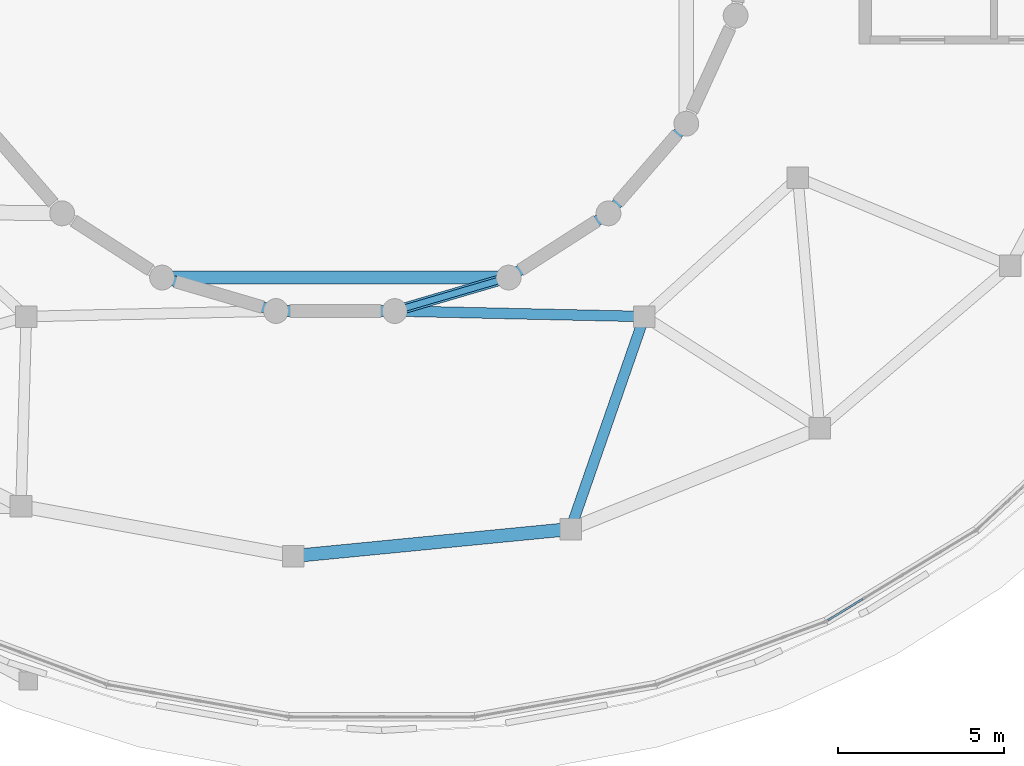
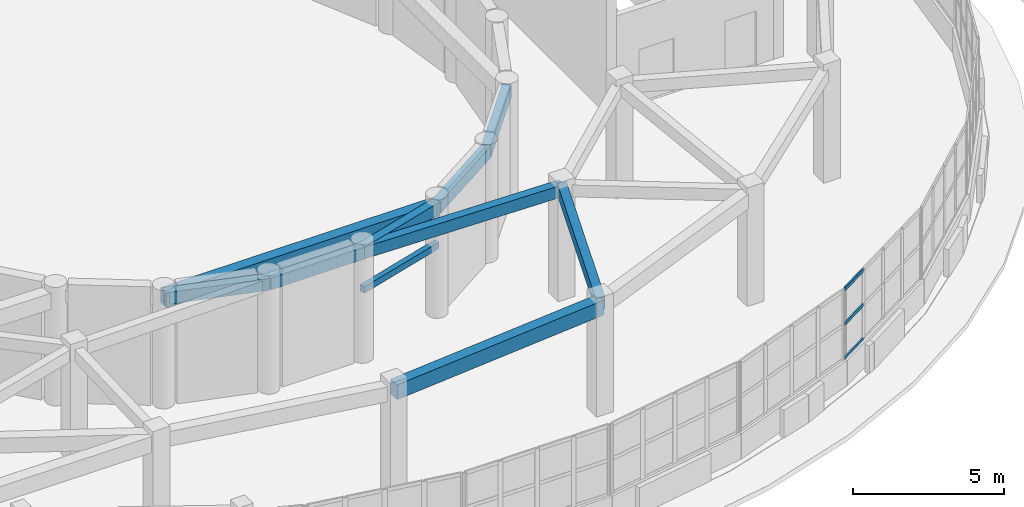
# One storey, part 50 of 105: 10 beams, 3 members, 1 element without a shape of its own.
"""IFC4 building model written with IfcOpenShell, lengths in metres."""

import ifcopenshell
import ifcopenshell.guid

model = None  # the IFC model being written
_history = None  # IfcOwnerHistory: only IFC2X3 demands one
_inside = {}  # id of a spatial element -> (the spatial element, [elements in it])
_under = {}  # id of a project, library or spatial element -> (it, [spatial elements below it])
_declared = {}  # id of a project -> (the project, [libraries it declares])
_typed = {}  # id of a type object -> (the type object, [elements of that type])
_made_of = {}  # id of a material, layer set ... -> (it, [elements and type objects made of it])


def new_model(schema):
    """Start an empty IFC model of exactly this schema.

    Asked for "IFC4X3", IfcOpenShell would pick the latest addendum, in which some entities
    have other attributes; the version numbers below select the first issue.
    IFC2X3 requires an IfcOwnerHistory on every rooted entity: one is made here for all.
    """
    global model, _history
    if schema == "IFC4X3":
        model = ifcopenshell.file(schema_version=(4, 3, 0, 0))
    else:
        model = ifcopenshell.file(schema=schema)
    _inside.clear()
    _under.clear()
    _declared.clear()
    _typed.clear()
    _made_of.clear()
    _history = None
    if model.schema == "IFC2X3":
        org = make("IfcOrganization", Name="unknown")
        user = make(
            "IfcPersonAndOrganization",
            ThePerson=make("IfcPerson", FamilyName="unknown"),
            TheOrganization=org,
        )
        app = make(
            "IfcApplication",
            ApplicationDeveloper=org,
            Version="unknown",
            ApplicationFullName="unknown",
            ApplicationIdentifier="unknown",
        )
        _history = make(
            "IfcOwnerHistory",
            OwningUser=user,
            OwningApplication=app,
            ChangeAction="ADDED",
            CreationDate=0,
        )
    return model


def make(cls, **values):
    """One entity of the class cls with the attributes given. An attribute that is None is left unset."""
    return model.create_entity(
        cls, **{name: value for name, value in values.items() if value is not None}
    )


def rooted(cls, **values):
    """An entity with a GlobalId (a new one), such as an element, a storey or a relation."""
    return make(cls, GlobalId=ifcopenshell.guid.new(), OwnerHistory=_history, **values)


def si_unit(unit_type, name, prefix=None):
    """IfcSIUnit, for example si_unit("LENGTHUNIT", "METRE", prefix="MILLI")."""
    return make("IfcSIUnit", UnitType=unit_type, Prefix=prefix, Name=name)


def assignment(units):
    """IfcUnitAssignment: the units of a project."""
    return None if units is None else make("IfcUnitAssignment", Units=units)


def point(xyz):
    """IfcCartesianPoint."""
    return None if xyz is None else make("IfcCartesianPoint", Coordinates=xyz)


def direction(xyz):
    """IfcDirection."""
    return None if xyz is None else make("IfcDirection", DirectionRatios=xyz)


def frame(location, z_axis=None, x_axis=None):
    """IfcAxis2Placement3D, a coordinate frame: its origin and axes. An axis left out is left unset."""
    return make(
        "IfcAxis2Placement3D",
        Location=point(location),
        Axis=direction(z_axis),
        RefDirection=direction(x_axis),
    )


def frame_2d(location, x_axis=None):
    """IfcAxis2Placement2D, a coordinate frame in the plane: its origin and x axis."""
    return make(
        "IfcAxis2Placement2D", Location=point(location), RefDirection=direction(x_axis)
    )


def origin():
    """The frame at (0, 0, 0) with its axes left unset."""
    return frame((0.0, 0.0, 0.0))


def origin_2d():
    """The frame at (0, 0) in the plane with its x axis left unset."""
    return frame_2d((0.0, 0.0))


def place(relative_to, where):
    """IfcLocalPlacement: puts the frame where relative to a parent placement (None: the world)."""
    return make(
        "IfcLocalPlacement", PlacementRelTo=relative_to, RelativePlacement=where
    )


def context(
    kind, dimensions, precision=None, world=None, true_north=None, identifier=None
):
    """IfcGeometricRepresentationContext, for example the 3D "Model" context."""
    return make(
        "IfcGeometricRepresentationContext",
        ContextIdentifier=identifier,
        ContextType=kind,
        CoordinateSpaceDimension=dimensions,
        Precision=precision,
        WorldCoordinateSystem=world,
        TrueNorth=true_north,
    )


def subcontext(parent, identifier, kind, view, scale=None):
    """IfcGeometricRepresentationSubContext, for example "Body" below "Model"."""
    return make(
        "IfcGeometricRepresentationSubContext",
        ContextIdentifier=identifier,
        ContextType=kind,
        ParentContext=parent,
        TargetScale=scale,
        TargetView=view,
    )


def project(units=None, contexts=None):
    """IfcProject with its units and contexts."""
    return rooted(
        "IfcProject",
        Name="project",
        RepresentationContexts=contexts,
        UnitsInContext=assignment(units),
    )


def spatial(cls, under=None, at=None, **own):
    """A site, building, storey or space (cls), placed at a placement, below another one or the project."""
    s = rooted(cls, ObjectPlacement=at, **own)
    if under is not None:
        _under.setdefault(under.id(), (under, []))[1].append(s)
    return s


def profile(cls, at=None, kind="AREA", **sizes):
    """A parametric profile (cls). Its sizes go by their IFC names, for example OverallWidth=200.0."""
    return make(cls, ProfileType=kind, Position=at, **sizes)


def rectangle(**sizes):
    """IfcRectangleProfileDef."""
    return profile("IfcRectangleProfileDef", **sizes)


def hollow_rectangle(**sizes):
    """IfcRectangleHollowProfileDef."""
    return profile("IfcRectangleHollowProfileDef", **sizes)


def extrude(swept, where, along, depth):
    """IfcExtrudedAreaSolid: the profile swept, set in the frame where, extruded along a direction by depth."""
    return make(
        "IfcExtrudedAreaSolid",
        SweptArea=swept,
        Position=where,
        ExtrudedDirection=direction(along),
        Depth=depth,
    )


def shape(context_of_items, identifier, shape_type, items):
    """IfcShapeRepresentation: the items that make up one representation, for example the "Body"."""
    return make(
        "IfcShapeRepresentation",
        ContextOfItems=context_of_items,
        RepresentationIdentifier=identifier,
        RepresentationType=shape_type,
        Items=items,
    )


def material(Name=None, Category=None):
    """IfcMaterial."""
    return make("IfcMaterial", Name=Name, Category=Category)


def layer(
    of_material, thickness, ventilated=None, Name=None, Category=None, Priority=None
):
    """IfcMaterialLayer: one layer of a wall or slab, of a material (None: an air gap)."""
    return make(
        "IfcMaterialLayer",
        Material=of_material,
        LayerThickness=thickness,
        IsVentilated=ventilated,
        Name=Name,
        Category=Category,
        Priority=Priority,
    )


def layer_set(layers, Name=None):
    """IfcMaterialLayerSet."""
    return make("IfcMaterialLayerSet", MaterialLayers=layers, LayerSetName=Name)


def material_profile(
    of_material, cross_section, Name=None, Category=None, Priority=None
):
    """IfcMaterialProfile: a cross section and its material."""
    return make(
        "IfcMaterialProfile",
        Name=Name,
        Material=of_material,
        Profile=cross_section,
        Priority=Priority,
        Category=Category,
    )


def profile_set(profiles, Name=None, composite=None):
    """IfcMaterialProfileSet."""
    return make(
        "IfcMaterialProfileSet",
        Name=Name,
        MaterialProfiles=profiles,
        CompositeProfile=composite,
    )


def made_of(thing, what):
    """Note that an element or type object is made of a material, layer set ...; save() writes the relation."""
    if what is not None:
        _made_of.setdefault(what.id(), (what, []))[1].append(thing)
    return thing


def type_object(cls, material=None, **own):
    """A type object (cls), such as IfcWallType, which elements share."""
    return made_of(rooted(cls, **own), material)


def element(
    cls,
    number,
    at=None,
    inside=None,
    cuts=None,
    type_object=None,
    material=None,
    context=None,
    identifier="Body",
    shape_type=None,
    held_by="IfcProductDefinitionShape",
    body=None,
    shapes=None,
    **own,
):
    """One element of the class cls, such as IfcWall. Its Tag is "e" and its number.

    at: its placement. inside: the storey or other place that contains it. cuts: it is an
    opening in that element (IfcRelVoidsElement). A single representation is given by context,
    identifier, shape_type and body (its items); several are given by shapes. held_by: the class
    of the entity that holds the representations. save() writes the other relations.
    """
    e = rooted(cls, Tag="e%d" % number, ObjectPlacement=at, **own)
    if body is not None:
        shapes = [shape(context, identifier, shape_type, body)]
    if shapes is not None:
        e.Representation = make(held_by, Representations=shapes)
    if inside is not None:
        _inside.setdefault(inside.id(), (inside, []))[1].append(e)
    if cuts is not None:
        rooted(
            "IfcRelVoidsElement", RelatingBuildingElement=cuts, RelatedOpeningElement=e
        )
    if type_object is not None:
        _typed.setdefault(type_object.id(), (type_object, []))[1].append(e)
    return made_of(e, material)


def aggregate(whole, parts):
    """IfcRelAggregates: a whole, such as a stair, and the parts it consists of."""
    return rooted("IfcRelAggregates", RelatingObject=whole, RelatedObjects=parts)


def save(model, path):
    """Write the relations noted so far, then the file.

    IfcRelAggregates (storeys below a building ...), IfcRelContainedInSpatialStructure (elements
    in a storey), IfcRelDefinesByType, IfcRelAssociatesMaterial and IfcRelDeclares: one each for
    every whole, place, type object, material and project.
    """
    for whole, parts in _under.values():
        aggregate(whole, parts)
    for where, things in _inside.values():
        rooted(
            "IfcRelContainedInSpatialStructure",
            RelatedElements=things,
            RelatingStructure=where,
        )
    for kind, things in _typed.values():
        rooted("IfcRelDefinesByType", RelatedObjects=things, RelatingType=kind)
    for what, things in _made_of.values():
        rooted("IfcRelAssociatesMaterial", RelatedObjects=things, RelatingMaterial=what)
    for by, libraries in _declared.values():
        rooted("IfcRelDeclares", RelatingContext=by, RelatedDefinitions=libraries)
    model.write(path)


model = new_model("IFC4")

# Units and contexts
model_context = context("Model", 3, precision=1e-05, world=origin(), true_north=direction((0.0, 1.0)))
body_context = subcontext(model_context, "Body", "Model", "MODEL_VIEW")
ifc_project = project(units=[si_unit("LENGTHUNIT", "METRE"), si_unit("AREAUNIT", "SQUARE_METRE"), si_unit("VOLUMEUNIT", "CUBIC_METRE"), si_unit("PLANEANGLEUNIT", "RADIAN"), si_unit("MASSUNIT", "GRAM", prefix="KILO")], contexts=[model_context])

# Site, building, storey
site_placement = place(None, origin())
site = spatial("IfcSite", under=ifc_project, at=site_placement, CompositionType="ELEMENT")
building_placement = place(site_placement, origin())
building = spatial("IfcBuilding", under=site, at=building_placement, Name="Pelvatis Terrace Science Centre", CompositionType="ELEMENT")
storey_placement = place(building_placement, frame((0.0, 0.0, 10.199951171875)))
storey = spatial("IfcBuildingStorey", under=building, at=storey_placement, Name="L02", CompositionType="ELEMENT", Elevation=10.199951171875)

# Beams
ifc_material_1 = material(Name="Concrete C35/45", Category="concrete")
ifc_material_profile_1 = material_profile(ifc_material_1, rectangle(XDim=0.320068359375, YDim=0.47998046875, at=origin_2d()), Name="RC-BM 320x480")
ifc_profile_set_1 = profile_set([ifc_material_profile_1], Name="Concrete C35/45")
beam_type_1 = type_object("IfcBeamType", Name="BM-RC-320x480", PredefinedType="BEAM", material=ifc_profile_set_1)
beam_1_placement = place(storey_placement, frame((103.9658203125, 74.338623046875, 4.300048828125), z_axis=(0.959481412085, -0.281771928808, 0.0), x_axis=(0.281771928808, 0.959481412085, 0.0)))
element("IfcBeam", 1, at=beam_1_placement, inside=storey, type_object=beam_type_1, Name="Beam BM-L02-2867", PredefinedType="BEAM", context=body_context, shape_type="SweptSolid", body=[
    extrude(rectangle(XDim=0.320068359375, YDim=0.47998046875, at=origin_2d()), origin(), (0.0, 0.0, 1.0), 3.586181640625),
])
beam_2_placement = place(storey_placement, frame((107.40673828125, 73.328125, 4.300048828125), z_axis=(1.0, 0.0, 0.0), x_axis=(0.0, 1.0, 0.0)))
element("IfcBeam", 2, at=beam_2_placement, inside=storey, type_object=beam_type_1, Name="Beam BM-L02-2869", PredefinedType="BEAM", context=body_context, shape_type="SweptSolid", body=[
    extrude(rectangle(XDim=0.320068359375, YDim=0.47998046875, at=origin_2d()), origin(), (0.0, 0.0, 1.0), 3.58642578125),
])
beam_3_placement = place(storey_placement, frame((110.9931640625, 73.328125, 4.300048828125), z_axis=(0.959481412085, 0.281771928808, 0.0), x_axis=(-0.281771928808, 0.959481412085, 0.0)))
element("IfcBeam", 3, at=beam_3_placement, inside=storey, type_object=beam_type_1, Name="Beam BM-L02-2871", PredefinedType="BEAM", context=body_context, shape_type="SweptSolid", body=[
    extrude(rectangle(XDim=0.320068359375, YDim=0.47998046875, at=origin_2d()), origin(), (0.0, 0.0, 1.0), 3.586181640625),
])
beam_4_placement = place(storey_placement, frame((110.9931640625, 73.328125, 4.300048828125), z_axis=(0.999756299377, -0.022075820636, 0.0), x_axis=(0.022075820636, 0.999756299377, 0.0)))
element("IfcBeam", 4, at=beam_4_placement, inside=storey, type_object=beam_type_1, Name="Beam BM-L02-2872", PredefinedType="BEAM", context=body_context, shape_type="SweptSolid", body=[
    extrude(rectangle(XDim=0.320068359375, YDim=0.47998046875, at=origin_2d()), origin(), (0.0, 0.0, 1.0), 7.54248046875),
])
beam_5_placement = place(storey_placement, frame((114.43408203125, 74.338623046875, 4.300048828125), z_axis=(0.841253667692, 0.540640607607, 0.0), x_axis=(-0.540640607607, 0.841253667692, 0.0)))
element("IfcBeam", 5, at=beam_5_placement, inside=storey, type_object=beam_type_1, Name="Beam BM-L02-2873", PredefinedType="BEAM", context=body_context, shape_type="SweptSolid", body=[
    extrude(rectangle(XDim=0.320068359375, YDim=0.47998046875, at=origin_2d()), origin(), (0.0, 0.0, 1.0), 3.58642578125),
])
beam_6_placement = place(storey_placement, frame((117.451171875, 76.277587890625, 4.300048828125), z_axis=(0.654896845036, 0.755718282406, 0.0), x_axis=(-0.755718282406, 0.654896845036, 0.0)))
element("IfcBeam", 6, at=beam_6_placement, inside=storey, type_object=beam_type_1, Name="Beam BM-L02-2874", PredefinedType="BEAM", context=body_context, shape_type="SweptSolid", body=[
    extrude(rectangle(XDim=0.320068359375, YDim=0.47998046875, at=origin_2d()), origin(), (0.0, 0.0, 1.0), 3.586181640625),
])
beam_7_placement = place(storey_placement, frame((116.3046875, 66.743408203125, 4.300048828125), z_axis=(0.328071814406, 0.944652785203, 0.0), x_axis=(-0.944652785203, 0.328071814406, 0.0)))
element("IfcBeam", 7, at=beam_7_placement, inside=storey, type_object=beam_type_1, Name="Beam BM-L02-2917", PredefinedType="BEAM", context=body_context, shape_type="SweptSolid", body=[
    extrude(rectangle(XDim=0.320068359375, YDim=0.47998046875, at=origin_2d()), origin(), (0.0, 0.0, 1.0), 6.794189453125),
])
ifc_material_2 = material(Name="Concrete C35/45", Category="concrete")
ifc_material_profile_2 = material_profile(ifc_material_2, rectangle(XDim=0.39990234375, YDim=0.60009765625, at=origin_2d()), Name="RC-BM 400x600")
ifc_profile_set_2 = profile_set([ifc_material_profile_2], Name="Concrete C35/45")
beam_type_2 = type_object("IfcBeamType", Name="BM-RC-400x600", PredefinedType="BEAM", material=ifc_profile_set_2)
beam_8_placement = place(storey_placement, frame((103.9658203125, 74.338623046875, 4.239990234375), z_axis=(1.0, 0.0, 0.0), x_axis=(0.0, 1.0, 0.0)))
element("IfcBeam", 8, at=beam_8_placement, inside=storey, type_object=beam_type_2, Name="Beam BM-L02-2868", PredefinedType="BEAM", context=body_context, shape_type="SweptSolid", body=[
    extrude(rectangle(XDim=0.39990234375, YDim=0.60009765625, at=origin_2d()), origin(), (0.0, 0.0, 1.0), 10.46826171875),
])
beam_9_placement = place(storey_placement, frame((107.92822265625, 65.926513671875, 4.239990234375), z_axis=(0.995278325495, 0.097062118249, 0.0), x_axis=(-0.097062118249, 0.995278325495, 0.0)))
element("IfcBeam", 9, at=beam_9_placement, inside=storey, type_object=beam_type_2, Name="Beam BM-L02-2915", PredefinedType="BEAM", context=body_context, shape_type="SweptSolid", body=[
    extrude(rectangle(XDim=0.39990234375, YDim=0.60009765625, at=origin_2d()), origin(), (0.0, 0.0, 1.0), 8.416259765625),
])

# Curtain wall, members
ifc_material_3 = material(Name="Bronze-anodised aluminium and laminated glass", Category="aluminium")
ifc_layer = layer(ifc_material_3, 0.179931640625)
ifc_layer_set = layer_set([ifc_layer], Name="Bronze-anodised aluminium and laminated glass")
curtain_wall_type = type_object("IfcCurtainWallType", Name="CW-RIBBON-A", PredefinedType="NOTDEFINED", material=ifc_layer_set)
curtain_wall_placement = place(storey_placement, origin())
curtain_wall = element("IfcCurtainWall", 10, at=curtain_wall_placement, inside=storey, type_object=curtain_wall_type, Name="Ribbon curtain wall CW-178 (L02)", PredefinedType="NOTDEFINED")
ifc_material_4 = material(Name="Bronze-anodised aluminium 6063-T6", Category="aluminium")
ifc_material_profile_3 = material_profile(ifc_material_4, hollow_rectangle(XDim=0.06005859375, YDim=0.139892578125, WallThickness=0.00390625, at=origin_2d()), Name="ALU-TRN 60x140")
ifc_profile_set_3 = profile_set([ifc_material_profile_3], Name="Bronze-anodised aluminium 6063-T6")
member_type = type_object("IfcMemberType", Name="CWT-60x140", PredefinedType="USERDEFINED", material=ifc_profile_set_3)
member_1_placement = place(storey_placement, frame((124.076171875, 63.98876953125, 1.050048828125), z_axis=(0.854662575458, 0.519183861567, 0.0), x_axis=(-0.519183861567, 0.854662575458, 0.0)))
member_1 = element("IfcMember", 11, at=member_1_placement, type_object=member_type, Name="CW-178 transom 1.1", ObjectType="TRANSOM", PredefinedType="USERDEFINED", context=body_context, shape_type="SweptSolid", body=[
    extrude(hollow_rectangle(XDim=0.06005859375, YDim=0.139892578125, WallThickness=0.00390625, at=origin_2d()), origin(), (0.0, 0.0, 1.0), 1.238525390625),
])
member_2_placement = place(storey_placement, frame((124.076171875, 63.98876953125, 2.43994140625), z_axis=(0.854662575458, 0.519183861567, 0.0), x_axis=(-0.519183861567, 0.854662575458, 0.0)))
member_2 = element("IfcMember", 12, at=member_2_placement, type_object=member_type, Name="CW-178 transom 1.2", ObjectType="TRANSOM", PredefinedType="USERDEFINED", context=body_context, shape_type="SweptSolid", body=[
    extrude(hollow_rectangle(XDim=0.06005859375, YDim=0.139892578125, WallThickness=0.00390625, at=origin_2d()), origin(), (0.0, 0.0, 1.0), 1.238525390625),
])
member_3_placement = place(storey_placement, frame((124.076171875, 63.98876953125, 3.830078125), z_axis=(0.854662575458, 0.519183861567, 0.0), x_axis=(-0.519183861567, 0.854662575458, 0.0)))
member_3 = element("IfcMember", 13, at=member_3_placement, type_object=member_type, Name="CW-178 transom 1.3", ObjectType="TRANSOM", PredefinedType="USERDEFINED", context=body_context, shape_type="SweptSolid", body=[
    extrude(hollow_rectangle(XDim=0.06005859375, YDim=0.139892578125, WallThickness=0.00390625, at=origin_2d()), origin(), (0.0, 0.0, 1.0), 1.238525390625),
])
aggregate(curtain_wall, [member_1, member_2, member_3])

# Beam
ifc_material_5 = material(Name="Concrete C35/45", Category="concrete")
ifc_material_profile_4 = material_profile(ifc_material_5, rectangle(XDim=0.199951171875, YDim=0.260009765625, at=origin_2d()), Name="RC-LNT 200x260")
ifc_profile_set_4 = profile_set([ifc_material_profile_4], Name="Concrete C35/45")
beam_type_3 = type_object("IfcBeamType", Name="LNT-RC-200x260", PredefinedType="LINTEL", material=ifc_profile_set_4)
beam_10_placement = place(storey_placement, frame((110.9931640625, 73.328125, 2.75), z_axis=(0.959481412085, 0.281771928808, 0.0), x_axis=(-0.281771928808, 0.959481412085, 0.0)))
element("IfcBeam", 14, at=beam_10_placement, inside=storey, type_object=beam_type_3, Name="Planetarium portal structural lintel 18 (L02)", PredefinedType="LINTEL", context=body_context, shape_type="SweptSolid", body=[
    extrude(rectangle(XDim=0.199951171875, YDim=0.260009765625, at=origin_2d()), origin(), (0.0, 0.0, 1.0), 3.586181640625),
])

save(model, "model.ifc")
